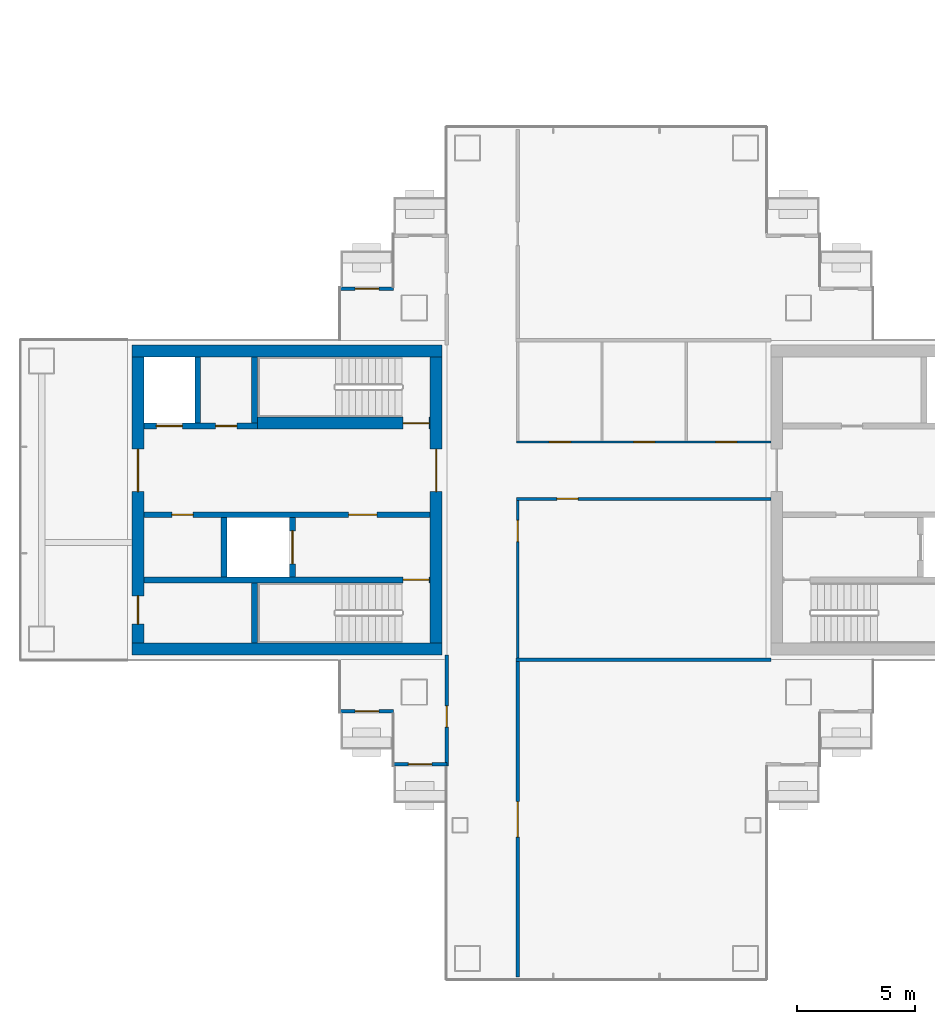
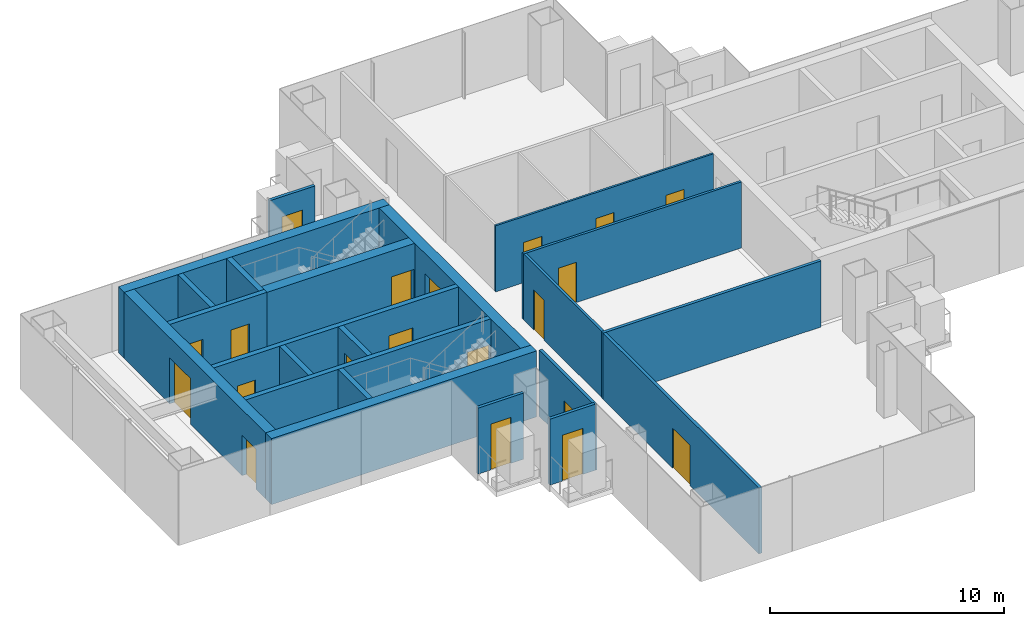
# One storey, part 9 of 17: 22 walls, 20 doors, 20 openings.
"""IFC4 building model written with IfcOpenShell, lengths in metres."""

from ifc_helpers import new_model, si_unit, direction, frame, frame_2d, origin, place, context, subcontext, project, spatial, rectangle, extrude, material, layer, layer_set, type_object, element, fill, save


model = new_model("IFC4")

# Units and contexts
model_context = context("Model", 3, precision=1e-05, world=origin(), true_north=direction((0.0, 1.0)))
body_context = subcontext(model_context, "Body", "Model", "MODEL_VIEW")
ifc_project = project(units=[si_unit("LENGTHUNIT", "METRE"), si_unit("AREAUNIT", "SQUARE_METRE"), si_unit("VOLUMEUNIT", "CUBIC_METRE"), si_unit("PLANEANGLEUNIT", "RADIAN"), si_unit("MASSUNIT", "GRAM", prefix="KILO")], contexts=[model_context])

# Site, building, storey
site_placement = place(None, origin())
site = spatial("IfcSite", under=ifc_project, at=site_placement, CompositionType="ELEMENT")
building_placement = place(site_placement, origin())
building = spatial("IfcBuilding", under=site, at=building_placement, Name="Shamsa Quay Exchange Towers", CompositionType="ELEMENT")
storey_placement = place(building_placement, frame((0.0, 0.0, 174.0)))
storey = spatial("IfcBuildingStorey", under=building, at=storey_placement, Name="L41", CompositionType="ELEMENT", Elevation=174.0)

# Wall, opening, door
ifc_material_1 = material(Name="Aluminium EN AW-6063 T6, black anodised, with black enamelled glass infill", Category="aluminium")
ifc_layer_1 = layer(ifc_material_1, 0.14990234375)
ifc_layer_set_1 = layer_set([ifc_layer_1], Name="BALCONY DOOR BAY WALL 150")
wall_type_1 = type_object("IfcWallType", Name="BALCONY DOOR BAY WALL 150", PredefinedType="SOLIDWALL", material=ifc_layer_set_1)
wall_1_placement = place(storey_placement, frame((-45.0, 8.925048828125, 0.0)))
wall_1 = element("IfcWall", 1, at=wall_1_placement, inside=storey, type_object=wall_type_1, Name="Door bay T1-PKWN L41", PredefinedType="SOLIDWALL", context=body_context, shape_type="SweptSolid", body=[
    extrude(rectangle(XDim=2.25, YDim=0.14990234375, at=frame_2d((1.125, 0.0))), origin(), (0.0, 0.0, 1.0), 3.449951171875),
])
opening_1_placement = place(wall_1_placement, frame((0.625, 0.0, 0.0)))
opening_1 = element("IfcOpeningElement", 2, at=opening_1_placement, cuts=wall_1, Name="Opening XD262", PredefinedType="OPENING", context=body_context, shape_type="SweptSolid", body=[
    extrude(rectangle(XDim=1.0, YDim=2.39990234375, at=frame_2d((0.5, 1.199951171875))), frame((0.0, 0.0849609375, 0.0), z_axis=(0.0, -1.0, 0.0), x_axis=(1.0, 0.0, 0.0)), (0.0, 0.0, 1.0), 0.169921875),
])
ifc_material_2 = material(Name="Aluminium EN AW-6063 T6, black anodised, with laminated glass leaf", Category="aluminium")
door_type_1 = type_object("IfcDoorType", Name="BALCONY DOOR 1000x2400", OperationType="SINGLE_SWING_LEFT", PredefinedType="DOOR", material=ifc_material_2)
door_1_placement = place(opening_1_placement, origin())
door_1 = element("IfcDoor", 3, at=door_1_placement, inside=storey, type_object=door_type_1, Name="Balcony door T1-PKWN L41", OperationType="SINGLE_SWING_RIGHT", OverallHeight=2.39990234375, OverallWidth=1.0, PredefinedType="DOOR", context=body_context, shape_type="SweptSolid", body=[
    extrude(rectangle(XDim=1.0, YDim=2.39990234375, at=frame_2d((0.5, 1.199951171875))), frame((0.0, 0.02490234375, 0.0), z_axis=(0.0, -1.0, 0.0), x_axis=(1.0, 0.0, 0.0)), (0.0, 0.0, 1.0), 0.050048828125),
])
fill(opening_1, door_1)

wall_2_placement = place(storey_placement, frame((-42.75, -8.925048828125, 0.0), z_axis=(0.0, 0.0, 1.0), x_axis=(-1.0, 0.0, 0.0)))
wall_2 = element("IfcWall", 4, at=wall_2_placement, inside=storey, type_object=wall_type_1, Name="Door bay T1-PKWS L41", PredefinedType="SOLIDWALL", context=body_context, shape_type="SweptSolid", body=[
    extrude(rectangle(XDim=2.25, YDim=0.14990234375, at=frame_2d((1.125, 0.0))), origin(), (0.0, 0.0, 1.0), 3.449951171875),
])
opening_2_placement = place(wall_2_placement, frame((0.625, 0.0, 0.0)))
opening_2 = element("IfcOpeningElement", 5, at=opening_2_placement, cuts=wall_2, Name="Opening XD263", PredefinedType="OPENING", context=body_context, shape_type="SweptSolid", body=[
    extrude(rectangle(XDim=1.0, YDim=2.39990234375, at=frame_2d((0.5, 1.199951171875))), frame((0.0, 0.0849609375, 0.0), z_axis=(0.0, -1.0, 0.0), x_axis=(1.0, 0.0, 0.0)), (0.0, 0.0, 1.0), 0.169921875),
])
door_2_placement = place(opening_2_placement, origin())
door_2 = element("IfcDoor", 6, at=door_2_placement, inside=storey, type_object=door_type_1, Name="Balcony door T1-PKWS L41", OperationType="SINGLE_SWING_LEFT", OverallHeight=2.39990234375, OverallWidth=1.0, PredefinedType="DOOR", context=body_context, shape_type="SweptSolid", body=[
    extrude(rectangle(XDim=1.0, YDim=2.39990234375, at=frame_2d((0.5, 1.199951171875))), frame((0.0, 0.02490234375, 0.0), z_axis=(0.0, -1.0, 0.0), x_axis=(1.0, 0.0, 0.0)), (0.0, 0.0, 1.0), 0.050048828125),
])
fill(opening_2, door_2)

wall_3_placement = place(storey_placement, frame((-40.5, -11.175048828125, 0.0), z_axis=(0.0, 0.0, 1.0), x_axis=(-1.0, 0.0, 0.0)))
wall_3 = element("IfcWall", 7, at=wall_3_placement, inside=storey, type_object=wall_type_1, Name="Door bay T1-PKWS L41", PredefinedType="SOLIDWALL", context=body_context, shape_type="SweptSolid", body=[
    extrude(rectangle(XDim=2.25, YDim=0.14990234375, at=frame_2d((1.125, 0.0))), origin(), (0.0, 0.0, 1.0), 3.449951171875),
])
opening_3_placement = place(wall_3_placement, frame((0.625, 0.0, 0.0)))
opening_3 = element("IfcOpeningElement", 8, at=opening_3_placement, cuts=wall_3, Name="Opening XD264", PredefinedType="OPENING", context=body_context, shape_type="SweptSolid", body=[
    extrude(rectangle(XDim=1.0, YDim=2.39990234375, at=frame_2d((0.5, 1.199951171875))), frame((0.0, 0.0849609375, 0.0), z_axis=(0.0, -1.0, 0.0), x_axis=(1.0, 0.0, 0.0)), (0.0, 0.0, 1.0), 0.169921875),
])
door_3_placement = place(opening_3_placement, origin())
door_3 = element("IfcDoor", 9, at=door_3_placement, inside=storey, type_object=door_type_1, Name="Balcony door T1-PKWS L41", OperationType="SINGLE_SWING_RIGHT", OverallHeight=2.39990234375, OverallWidth=1.0, PredefinedType="DOOR", context=body_context, shape_type="SweptSolid", body=[
    extrude(rectangle(XDim=1.0, YDim=2.39990234375, at=frame_2d((0.5, 1.199951171875))), frame((0.0, 0.02490234375, 0.0), z_axis=(0.0, -1.0, 0.0), x_axis=(1.0, 0.0, 0.0)), (0.0, 0.0, 1.0), 0.050048828125),
])
fill(opening_3, door_3)

# Walls
ifc_material_3 = material(Name="Concrete C60/75", Category="concrete")
ifc_layer_2 = layer(ifc_material_3, 0.5)
ifc_layer_set_2 = layer_set([ifc_layer_2], Name="CORE WALL 500 C60/75")
wall_type_2 = type_object("IfcWallType", Name="CORE WALL 500 C60/75", PredefinedType="SHEAR", material=ifc_layer_set_2)
for number, where, z_axis, x_axis, name in (
    (10, (-40.699951171875, -6.300048828125, 0.0), (0.0, 0.0, 1.0), (-1.0, 0.0, 0.0), "Core wall T1B-R19-PS"),
    (11, (-40.699951171875, 6.300048828125, 0.0), (0.0, 0.0, 1.0), (-1.0, 0.0, 0.0), "Core wall T1B-R19-PN"),
):
    element("IfcWall", number, at=place(storey_placement, frame(where, z_axis=z_axis, x_axis=x_axis)), inside=storey, type_object=wall_type_2, Name=name, PredefinedType="SHEAR", context=body_context, shape_type="SweptSolid", body=[
        extrude(rectangle(XDim=13.10009765625, YDim=0.5, at=frame_2d((6.550048828125, 0.0))), origin(), (0.0, 0.0, 1.0), 3.449951171875),
    ])

# Wall, opening, door
wall_4_placement = place(storey_placement, frame((-40.949951171875, -6.050048828125, 0.0), z_axis=(0.0, 0.0, 1.0), x_axis=(0.0, 1.0, 0.0)))
wall_4 = element("IfcWall", 12, at=wall_4_placement, inside=storey, type_object=wall_type_2, Name="Core wall T1B-R19-PF", PredefinedType="SHEAR", context=body_context, shape_type="SweptSolid", body=[
    extrude(rectangle(XDim=12.10009765625, YDim=0.5, at=frame_2d((6.050048828125, 0.0))), origin(), (0.0, 0.0, 1.0), 3.449951171875),
])
opening_4_placement = place(wall_4_placement, frame((6.39990234375, 0.0, 0.0)))
opening_4 = element("IfcOpeningElement", 13, at=opening_4_placement, cuts=wall_4, Name="Opening T1B-R19-LBD01", PredefinedType="OPENING", context=body_context, shape_type="SweptSolid", body=[
    extrude(rectangle(XDim=1.800048828125, YDim=2.39990234375, at=frame_2d((0.89990234375, 1.199951171875))), frame((0.0, 0.260009765625, 0.0), z_axis=(0.0, -1.0, 0.0), x_axis=(1.0, 0.0, 0.0)), (0.0, 0.0, 1.0), 0.52001953125),
])
ifc_material_4 = material(Name="Steel, fire rated", Category="steel")
door_type_2 = type_object("IfcDoorType", Name="LIFT LOBBY DOOR PAIR 1800", OperationType="DOUBLE_DOOR_SINGLE_SWING", PredefinedType="DOOR", material=ifc_material_4)
door_4_placement = place(opening_4_placement, origin())
door_4 = element("IfcDoor", 14, at=door_4_placement, inside=storey, type_object=door_type_2, Name="T1B-R19-LBD01", OperationType="DOUBLE_DOOR_SINGLE_SWING", OverallHeight=2.39990234375, OverallWidth=1.800048828125, PredefinedType="DOOR", context=body_context, shape_type="SweptSolid", body=[
    extrude(rectangle(XDim=1.800048828125, YDim=2.39990234375, at=frame_2d((0.89990234375, 1.199951171875))), frame((0.0, 0.02490234375, 0.0), z_axis=(0.0, -1.0, 0.0), x_axis=(1.0, 0.0, 0.0)), (0.0, 0.0, 1.0), 0.050048828125),
])
fill(opening_4, door_4)

# Wall, openings, doors
wall_5_placement = place(storey_placement, frame((-53.550048828125, -6.050048828125, 0.0), z_axis=(0.0, 0.0, 1.0), x_axis=(0.0, 1.0, 0.0)))
wall_5 = element("IfcWall", 15, at=wall_5_placement, inside=storey, type_object=wall_type_2, Name="Core wall T1B-R19-PB", PredefinedType="SHEAR", context=body_context, shape_type="SweptSolid", body=[
    extrude(rectangle(XDim=12.10009765625, YDim=0.5, at=frame_2d((6.050048828125, 0.0))), origin(), (0.0, 0.0, 1.0), 3.449951171875),
])
opening_5_placement = place(wall_5_placement, frame((0.800048828125, 0.0, 0.0)))
opening_5 = element("IfcOpeningElement", 16, at=opening_5_placement, cuts=wall_5, Name="Opening T1B-R19-RD02", PredefinedType="OPENING", context=body_context, shape_type="SweptSolid", body=[
    extrude(rectangle(XDim=1.199951171875, YDim=2.10009765625, at=frame_2d((0.60009765625, 1.050048828125))), frame((0.0, 0.260009765625, 0.0), z_axis=(0.0, -1.0, 0.0), x_axis=(1.0, 0.0, 0.0)), (0.0, 0.0, 1.0), 0.52001953125),
])
opening_6_placement = place(wall_5_placement, frame((6.39990234375, 0.0, 0.0)))
opening_6 = element("IfcOpeningElement", 17, at=opening_6_placement, cuts=wall_5, Name="Opening T1B-R19-LBD03", PredefinedType="OPENING", context=body_context, shape_type="SweptSolid", body=[
    extrude(rectangle(XDim=1.800048828125, YDim=2.39990234375, at=frame_2d((0.89990234375, 1.199951171875))), frame((0.0, 0.260009765625, 0.0), z_axis=(0.0, -1.0, 0.0), x_axis=(1.0, 0.0, 0.0)), (0.0, 0.0, 1.0), 0.52001953125),
])
door_5_placement = place(opening_6_placement, origin())
door_5 = element("IfcDoor", 18, at=door_5_placement, inside=storey, type_object=door_type_2, Name="T1B-R19-LBD03", OperationType="DOUBLE_DOOR_SINGLE_SWING", OverallHeight=2.39990234375, OverallWidth=1.800048828125, PredefinedType="DOOR", context=body_context, shape_type="SweptSolid", body=[
    extrude(rectangle(XDim=1.800048828125, YDim=2.39990234375, at=frame_2d((0.89990234375, 1.199951171875))), frame((0.0, 0.02490234375, 0.0), z_axis=(0.0, -1.0, 0.0), x_axis=(1.0, 0.0, 0.0)), (0.0, 0.0, 1.0), 0.050048828125),
])
fill(opening_6, door_5)
door_type_3 = type_object("IfcDoorType", Name="RISER ACCESS DOOR 1200", OperationType="SINGLE_SWING_LEFT", PredefinedType="DOOR", material=ifc_material_4)
door_6_placement = place(opening_5_placement, origin())
door_6 = element("IfcDoor", 19, at=door_6_placement, inside=storey, type_object=door_type_3, Name="T1B-R19-RD02", OperationType="SINGLE_SWING_LEFT", OverallHeight=2.10009765625, OverallWidth=1.199951171875, PredefinedType="DOOR", context=body_context, shape_type="SweptSolid", body=[
    extrude(rectangle(XDim=1.199951171875, YDim=2.10009765625, at=frame_2d((0.60009765625, 1.050048828125))), frame((0.0, 0.02490234375, 0.0), z_axis=(0.0, -1.0, 0.0), x_axis=(1.0, 0.0, 0.0)), (0.0, 0.0, 1.0), 0.050048828125),
])
fill(opening_5, door_6)

# Wall, opening, door
ifc_material_5 = material(Name="Laminated fire-resisting glass in a metal frame", Category="glass")
ifc_layer_3 = layer(ifc_material_5, 0.125)
ifc_layer_set_3 = layer_set([ifc_layer_3], Name="Glazed partition 125 mm EI 60")
wall_type_3 = type_object("IfcWallType", Name="Glazed partition 125 mm EI 60", PredefinedType="PARTITIONING", material=ifc_layer_set_3)
wall_6_placement = place(storey_placement, frame((-37.5625, 0.0498046875, 0.0)))
wall_6 = element("IfcWall", 20, at=wall_6_placement, inside=storey, type_object=wall_type_3, Name="Partition T1-R19-W05", PredefinedType="PARTITIONING", context=body_context, shape_type="SweptSolid", body=[
    extrude(rectangle(XDim=10.762451171875, YDim=0.125, at=frame_2d((5.38134765625, 0.0))), origin(), (0.0, 0.0, 1.0), 3.449951171875),
])
opening_7_placement = place(wall_6_placement, frame((1.71240234375, 0.0, 0.0)))
opening_7 = element("IfcOpeningElement", 21, at=opening_7_placement, cuts=wall_6, Name="Opening T1-R19-D05", PredefinedType="OPENING", context=body_context, shape_type="SweptSolid", body=[
    extrude(rectangle(XDim=0.89990234375, YDim=2.10009765625, at=frame_2d((0.449951171875, 1.050048828125))), frame((0.0, 0.072509765625, 0.0), z_axis=(0.0, -1.0, 0.0), x_axis=(1.0, 0.0, 0.0)), (0.0, 0.0, 1.0), 0.14501953125),
])
ifc_material_6 = material(Name="Timber door leaf in a metal frame", Category="wood")
door_type_4 = type_object("IfcDoorType", Name="Door 900x2100 FD30S", OperationType="NOTDEFINED", PredefinedType="DOOR", material=ifc_material_6)
door_7_placement = place(opening_7_placement, origin())
door_7 = element("IfcDoor", 22, at=door_7_placement, inside=storey, type_object=door_type_4, Name="Door T1-R19-D05", OperationType="SINGLE_SWING_LEFT", OverallHeight=2.10009765625, OverallWidth=0.89990234375, PredefinedType="DOOR", context=body_context, shape_type="SweptSolid", body=[
    extrude(rectangle(XDim=0.89990234375, YDim=2.10009765625, at=frame_2d((0.449951171875, 1.050048828125))), frame((0.0, 0.02490234375, 0.0), z_axis=(0.0, -1.0, 0.0), x_axis=(1.0, 0.0, 0.0)), (0.0, 0.0, 1.0), 0.050048828125),
])
fill(opening_7, door_7)

wall_7_placement = place(storey_placement, frame((-37.5, -6.675048828125, 0.0), z_axis=(0.0, 0.0, 1.0), x_axis=(0.0, 1.0, 0.0)))
wall_7 = element("IfcWall", 23, at=wall_7_placement, inside=storey, type_object=wall_type_3, Name="Partition T1-R19-W06", PredefinedType="PARTITIONING", context=body_context, shape_type="SweptSolid", body=[
    extrude(rectangle(XDim=6.662353515625, YDim=0.125, at=frame_2d((3.3310546875, 0.0))), origin(), (0.0, 0.0, 1.0), 3.449951171875),
])
opening_8_placement = place(wall_7_placement, frame((4.914794921875, 0.0, 0.0)))
opening_8 = element("IfcOpeningElement", 24, at=opening_8_placement, cuts=wall_7, Name="Opening T1-R19-D03", PredefinedType="OPENING", context=body_context, shape_type="SweptSolid", body=[
    extrude(rectangle(XDim=0.89990234375, YDim=2.10009765625, at=frame_2d((0.449951171875, 1.050048828125))), frame((0.0, 0.072509765625, 0.0), z_axis=(0.0, -1.0, 0.0), x_axis=(1.0, 0.0, 0.0)), (0.0, 0.0, 1.0), 0.14501953125),
])
door_8_placement = place(opening_8_placement, origin())
door_8 = element("IfcDoor", 25, at=door_8_placement, inside=storey, type_object=door_type_4, Name="Door T1-R19-D03", OperationType="SINGLE_SWING_RIGHT", OverallHeight=2.10009765625, OverallWidth=0.89990234375, PredefinedType="DOOR", context=body_context, shape_type="SweptSolid", body=[
    extrude(rectangle(XDim=0.89990234375, YDim=2.10009765625, at=frame_2d((0.449951171875, 1.050048828125))), frame((0.0, 0.02490234375, 0.0), z_axis=(0.0, -1.0, 0.0), x_axis=(1.0, 0.0, 0.0)), (0.0, 0.0, 1.0), 0.050048828125),
])
fill(opening_8, door_8)

# Wall, openings, doors
ifc_material_7 = material(Name="Gypsum board partition on metal studs")
ifc_layer_4 = layer(ifc_material_7, 0.10009765625)
ifc_layer_set_4 = layer_set([ifc_layer_4], Name="Partition 100 mm NOT RATED")
wall_type_4 = type_object("IfcWallType", Name="Partition 100 mm NOT RATED", PredefinedType="PARTITIONING", material=ifc_layer_set_4)
wall_8_placement = place(storey_placement, frame((-37.550048828125, 2.4501953125, 0.0)))
wall_8 = element("IfcWall", 26, at=wall_8_placement, inside=storey, type_object=wall_type_4, Name="Partition T1-R19-W04", PredefinedType="PARTITIONING", context=body_context, shape_type="SweptSolid", body=[
    extrude(rectangle(XDim=10.75, YDim=0.10009765625, at=frame_2d((5.375, 0.0))), origin(), (0.0, 0.0, 1.0), 3.449951171875),
])
opening_9_placement = place(wall_8_placement, frame((1.38134765625, 0.0, 0.0)))
opening_9 = element("IfcOpeningElement", 27, at=opening_9_placement, cuts=wall_8, Name="Opening T1-R19-D06", PredefinedType="OPENING", context=body_context, shape_type="SweptSolid", body=[
    extrude(rectangle(XDim=0.89990234375, YDim=2.10009765625, at=frame_2d((0.449951171875, 1.050048828125))), frame((0.0, 0.06005859375, 0.0), z_axis=(0.0, -1.0, 0.0), x_axis=(1.0, 0.0, 0.0)), (0.0, 0.0, 1.0), 0.1201171875),
])
opening_10_placement = place(wall_8_placement, frame((4.943603515625, 0.0, 0.0)))
opening_10 = element("IfcOpeningElement", 28, at=opening_10_placement, cuts=wall_8, Name="Opening T1-R19-D07", PredefinedType="OPENING", context=body_context, shape_type="SweptSolid", body=[
    extrude(rectangle(XDim=0.89990234375, YDim=2.10009765625, at=frame_2d((0.449951171875, 1.050048828125))), frame((0.0, 0.06005859375, 0.0), z_axis=(0.0, -1.0, 0.0), x_axis=(1.0, 0.0, 0.0)), (0.0, 0.0, 1.0), 0.1201171875),
])
opening_11_placement = place(wall_8_placement, frame((8.41259765625, 0.0, 0.0)))
opening_11 = element("IfcOpeningElement", 29, at=opening_11_placement, cuts=wall_8, Name="Opening T1-R19-D08", PredefinedType="OPENING", context=body_context, shape_type="SweptSolid", body=[
    extrude(rectangle(XDim=0.89990234375, YDim=2.10009765625, at=frame_2d((0.449951171875, 1.050048828125))), frame((0.0, 0.06005859375, 0.0), z_axis=(0.0, -1.0, 0.0), x_axis=(1.0, 0.0, 0.0)), (0.0, 0.0, 1.0), 0.1201171875),
])
door_type_5 = type_object("IfcDoorType", Name="Door 900x2100 NOT RATED", OperationType="NOTDEFINED", PredefinedType="DOOR", material=ifc_material_6)
door_9_placement = place(opening_9_placement, origin())
door_9 = element("IfcDoor", 30, at=door_9_placement, inside=storey, type_object=door_type_5, Name="Door T1-R19-D06", OperationType="SINGLE_SWING_LEFT", OverallHeight=2.10009765625, OverallWidth=0.89990234375, PredefinedType="DOOR", context=body_context, shape_type="SweptSolid", body=[
    extrude(rectangle(XDim=0.89990234375, YDim=2.10009765625, at=frame_2d((0.449951171875, 1.050048828125))), frame((0.0, 0.02490234375, 0.0), z_axis=(0.0, -1.0, 0.0), x_axis=(1.0, 0.0, 0.0)), (0.0, 0.0, 1.0), 0.050048828125),
])
fill(opening_9, door_9)
door_10_placement = place(opening_10_placement, origin())
door_10 = element("IfcDoor", 31, at=door_10_placement, inside=storey, type_object=door_type_5, Name="Door T1-R19-D07", OperationType="SINGLE_SWING_LEFT", OverallHeight=2.10009765625, OverallWidth=0.89990234375, PredefinedType="DOOR", context=body_context, shape_type="SweptSolid", body=[
    extrude(rectangle(XDim=0.89990234375, YDim=2.10009765625, at=frame_2d((0.449951171875, 1.050048828125))), frame((0.0, 0.02490234375, 0.0), z_axis=(0.0, -1.0, 0.0), x_axis=(1.0, 0.0, 0.0)), (0.0, 0.0, 1.0), 0.050048828125),
])
fill(opening_10, door_10)
door_11_placement = place(opening_11_placement, origin())
door_11 = element("IfcDoor", 32, at=door_11_placement, inside=storey, type_object=door_type_5, Name="Door T1-R19-D08", OperationType="SINGLE_SWING_RIGHT", OverallHeight=2.10009765625, OverallWidth=0.89990234375, PredefinedType="DOOR", context=body_context, shape_type="SweptSolid", body=[
    extrude(rectangle(XDim=0.89990234375, YDim=2.10009765625, at=frame_2d((0.449951171875, 1.050048828125))), frame((0.0, 0.02490234375, 0.0), z_axis=(0.0, -1.0, 0.0), x_axis=(1.0, 0.0, 0.0)), (0.0, 0.0, 1.0), 0.050048828125),
])
fill(opening_11, door_11)

# Wall, opening, door
ifc_layer_5 = layer(ifc_material_7, 0.14990234375)
ifc_layer_set_5 = layer_set([ifc_layer_5], Name="Partition 150 mm EI 60")
wall_type_5 = type_object("IfcWallType", Name="Partition 150 mm EI 60", PredefinedType="PARTITIONING", material=ifc_layer_set_5)
wall_9_placement = place(storey_placement, frame((-37.5, -6.824951171875, 0.0), z_axis=(0.0, 0.0, 1.0), x_axis=(0.0, -1.0, 0.0)))
wall_9 = element("IfcWall", 33, at=wall_9_placement, inside=storey, type_object=wall_type_5, Name="Partition T1-R19-W02", PredefinedType="PARTITIONING", context=body_context, shape_type="SweptSolid", body=[
    extrude(rectangle(XDim=13.330078125, YDim=0.14990234375, at=frame_2d((6.6650390625, 0.0))), origin(), (0.0, 0.0, 1.0), 3.449951171875),
])
opening_12_placement = place(wall_9_placement, frame((5.925048828125, 0.0, 0.0)))
opening_12 = element("IfcOpeningElement", 34, at=opening_12_placement, cuts=wall_9, Name="Opening T1-R19-D04", PredefinedType="OPENING", context=body_context, shape_type="SweptSolid", body=[
    extrude(rectangle(XDim=1.5, YDim=2.10009765625, at=frame_2d((0.75, 1.050048828125))), frame((0.0, 0.0849609375, 0.0), z_axis=(0.0, -1.0, 0.0), x_axis=(1.0, 0.0, 0.0)), (0.0, 0.0, 1.0), 0.169921875),
])
door_type_6 = type_object("IfcDoorType", Name="Door 1500x2100 FD30S pair", OperationType="NOTDEFINED", PredefinedType="DOOR", material=ifc_material_6)
door_12_placement = place(opening_12_placement, origin())
door_12 = element("IfcDoor", 35, at=door_12_placement, inside=storey, type_object=door_type_6, Name="Door T1-R19-D04", OperationType="DOUBLE_DOOR_SINGLE_SWING", OverallHeight=2.10009765625, OverallWidth=1.5, PredefinedType="DOOR", context=body_context, shape_type="SweptSolid", body=[
    extrude(rectangle(XDim=1.5, YDim=2.10009765625, at=frame_2d((0.75, 1.050048828125))), frame((0.0, 0.02490234375, 0.0), z_axis=(0.0, -1.0, 0.0), x_axis=(1.0, 0.0, 0.0)), (0.0, 0.0, 1.0), 0.050048828125),
])
fill(opening_12, door_12)

wall_10_placement = place(storey_placement, frame((-40.5, -11.25, 0.0), z_axis=(0.0, 0.0, 1.0), x_axis=(0.0, 1.0, 0.0)))
wall_10 = element("IfcWall", 36, at=wall_10_placement, inside=storey, type_object=wall_type_5, Name="Partition T1-R19-W07", PredefinedType="PARTITIONING", context=body_context, shape_type="SweptSolid", body=[
    extrude(rectangle(XDim=4.699951171875, YDim=0.14990234375, at=frame_2d((2.35009765625, 0.0))), origin(), (0.0, 0.0, 1.0), 3.449951171875),
])
opening_13_placement = place(wall_10_placement, frame((1.64990234375, 0.0, 0.0)))
opening_13 = element("IfcOpeningElement", 37, at=opening_13_placement, cuts=wall_10, Name="Opening T1-R19-D01", PredefinedType="OPENING", context=body_context, shape_type="SweptSolid", body=[
    extrude(rectangle(XDim=0.89990234375, YDim=2.10009765625, at=frame_2d((0.449951171875, 1.050048828125))), frame((0.0, 0.0849609375, 0.0), z_axis=(0.0, -1.0, 0.0), x_axis=(1.0, 0.0, 0.0)), (0.0, 0.0, 1.0), 0.169921875),
])
door_13_placement = place(opening_13_placement, origin())
door_13 = element("IfcDoor", 38, at=door_13_placement, inside=storey, type_object=door_type_4, Name="Door T1-R19-D01", OperationType="SINGLE_SWING_LEFT", OverallHeight=2.10009765625, OverallWidth=0.89990234375, PredefinedType="DOOR", context=body_context, shape_type="SweptSolid", body=[
    extrude(rectangle(XDim=0.89990234375, YDim=2.10009765625, at=frame_2d((0.449951171875, 1.050048828125))), frame((0.0, 0.02490234375, 0.0), z_axis=(0.0, -1.0, 0.0), x_axis=(1.0, 0.0, 0.0)), (0.0, 0.0, 1.0), 0.050048828125),
])
fill(opening_13, door_13)

# Wall
wall_11_placement = place(storey_placement, frame((-26.800048828125, -6.75, 0.0), z_axis=(0.0, 0.0, 1.0), x_axis=(-1.0, 0.0, 0.0)))
element("IfcWall", 39, at=wall_11_placement, inside=storey, type_object=wall_type_5, Name="Partition T1-R19-W12", PredefinedType="PARTITIONING", context=body_context, shape_type="SweptSolid", body=[
    extrude(rectangle(XDim=10.77490234375, YDim=0.14990234375, at=frame_2d((5.387451171875, 0.0))), origin(), (0.0, 0.0, 1.0), 3.449951171875),
])

# Wall, opening, door
ifc_material_8 = material(Name="Concrete C50/60", Category="concrete")
ifc_layer_6 = layer(ifc_material_8, 0.25)
ifc_layer_set_6 = layer_set([ifc_layer_6], Name="SHAFT WALL 250 C50/60")
wall_type_6 = type_object("IfcWallType", Name="SHAFT WALL 250 C50/60", PredefinedType="SHEAR", material=ifc_layer_set_6)
wall_12_placement = place(storey_placement, frame((-41.199951171875, -3.375, 0.0), z_axis=(0.0, 0.0, 1.0), x_axis=(-1.0, 0.0, 0.0)))
wall_12 = element("IfcWall", 40, at=wall_12_placement, inside=storey, type_object=wall_type_6, Name="Shaft wall T1B-R19-STL", PredefinedType="SHEAR", context=body_context, shape_type="SweptSolid", body=[
    extrude(rectangle(XDim=12.10009765625, YDim=0.25, at=frame_2d((6.050048828125, 0.0))), origin(), (0.0, 0.0, 1.0), 3.449951171875),
])
opening_14_placement = place(wall_12_placement, frame((0.050048828125, 0.0, 0.0)))
opening_14 = element("IfcOpeningElement", 41, at=opening_14_placement, cuts=wall_12, Name="Opening T1B-R19-SD04", PredefinedType="OPENING", context=body_context, shape_type="SweptSolid", body=[
    extrude(rectangle(XDim=1.10009765625, YDim=2.10009765625, at=frame_2d((0.550048828125, 1.050048828125))), frame((0.0, 0.135009765625, 0.0), z_axis=(0.0, -1.0, 0.0), x_axis=(1.0, 0.0, 0.0)), (0.0, 0.0, 1.0), 0.27001953125),
])
door_type_7 = type_object("IfcDoorType", Name="STAIR DOOR 1100", OperationType="SINGLE_SWING_LEFT", PredefinedType="DOOR", material=ifc_material_4)
door_14_placement = place(opening_14_placement, origin())
door_14 = element("IfcDoor", 42, at=door_14_placement, inside=storey, type_object=door_type_7, Name="T1B-R19-SD04", OperationType="SINGLE_SWING_LEFT", OverallHeight=2.10009765625, OverallWidth=1.10009765625, PredefinedType="DOOR", context=body_context, shape_type="SweptSolid", body=[
    extrude(rectangle(XDim=1.10009765625, YDim=2.10009765625, at=frame_2d((0.550048828125, 1.050048828125))), frame((0.0, 0.02490234375, 0.0), z_axis=(0.0, -1.0, 0.0), x_axis=(1.0, 0.0, 0.0)), (0.0, 0.0, 1.0), 0.050048828125),
])
fill(opening_14, door_14)

# Wall
wall_13_placement = place(storey_placement, frame((-48.625, -6.050048828125, 0.0), z_axis=(0.0, 0.0, 1.0), x_axis=(0.0, 1.0, 0.0)))
element("IfcWall", 43, at=wall_13_placement, inside=storey, type_object=wall_type_6, Name="Shaft wall T1B-R19-STF", PredefinedType="SHEAR", context=body_context, shape_type="SweptSolid", body=[
    extrude(rectangle(XDim=2.550048828125, YDim=0.25, at=frame_2d((1.27490234375, 0.0))), origin(), (0.0, 0.0, 1.0), 3.449951171875),
])

# Wall, openings, doors
wall_14_placement = place(storey_placement, frame((-41.199951171875, -0.625, 0.0), z_axis=(0.0, 0.0, 1.0), x_axis=(-1.0, 0.0, 0.0)))
wall_14 = element("IfcWall", 44, at=wall_14_placement, inside=storey, type_object=wall_type_6, Name="Shaft wall T1B-R19-B", PredefinedType="SHEAR", context=body_context, shape_type="SweptSolid", body=[
    extrude(rectangle(XDim=12.10009765625, YDim=0.25, at=frame_2d((6.050048828125, 0.0))), origin(), (0.0, 0.0, 1.0), 3.449951171875),
])
opening_15_placement = place(wall_14_placement, frame((2.25, 0.0, 0.0)))
opening_15 = element("IfcOpeningElement", 45, at=opening_15_placement, cuts=wall_14, Name="Opening T1B-R19-FD05", PredefinedType="OPENING", context=body_context, shape_type="SweptSolid", body=[
    extrude(rectangle(XDim=1.199951171875, YDim=2.10009765625, at=frame_2d((0.60009765625, 1.050048828125))), frame((0.0, 0.135009765625, 0.0), z_axis=(0.0, -1.0, 0.0), x_axis=(1.0, 0.0, 0.0)), (0.0, 0.0, 1.0), 0.27001953125),
])
opening_16_placement = place(wall_14_placement, frame((10.02490234375, 0.0, 0.0)))
opening_16 = element("IfcOpeningElement", 46, at=opening_16_placement, cuts=wall_14, Name="Opening T1B-R19-SV06", PredefinedType="OPENING", context=body_context, shape_type="SweptSolid", body=[
    extrude(rectangle(XDim=0.89990234375, YDim=2.10009765625, at=frame_2d((0.449951171875, 1.050048828125))), frame((0.0, 0.135009765625, 0.0), z_axis=(0.0, -1.0, 0.0), x_axis=(1.0, 0.0, 0.0)), (0.0, 0.0, 1.0), 0.27001953125),
])
door_type_8 = type_object("IfcDoorType", Name="FIRE SERVICE LOBBY DOOR 1200", OperationType="SINGLE_SWING_LEFT", PredefinedType="DOOR", material=ifc_material_4)
door_15_placement = place(opening_15_placement, origin())
door_15 = element("IfcDoor", 47, at=door_15_placement, inside=storey, type_object=door_type_8, Name="T1B-R19-FD05", OperationType="SINGLE_SWING_LEFT", OverallHeight=2.10009765625, OverallWidth=1.199951171875, PredefinedType="DOOR", context=body_context, shape_type="SweptSolid", body=[
    extrude(rectangle(XDim=1.199951171875, YDim=2.10009765625, at=frame_2d((0.60009765625, 1.050048828125))), frame((0.0, 0.02490234375, 0.0), z_axis=(0.0, -1.0, 0.0), x_axis=(1.0, 0.0, 0.0)), (0.0, 0.0, 1.0), 0.050048828125),
])
fill(opening_15, door_15)
door_type_9 = type_object("IfcDoorType", Name="SERVICE ROOM DOOR 900", OperationType="SINGLE_SWING_LEFT", PredefinedType="DOOR", material=ifc_material_4)
door_16_placement = place(opening_16_placement, origin())
door_16 = element("IfcDoor", 48, at=door_16_placement, inside=storey, type_object=door_type_9, Name="T1B-R19-SV06", OperationType="SINGLE_SWING_RIGHT", OverallHeight=2.10009765625, OverallWidth=0.89990234375, PredefinedType="DOOR", context=body_context, shape_type="SweptSolid", body=[
    extrude(rectangle(XDim=0.89990234375, YDim=2.10009765625, at=frame_2d((0.449951171875, 1.050048828125))), frame((0.0, 0.02490234375, 0.0), z_axis=(0.0, -1.0, 0.0), x_axis=(1.0, 0.0, 0.0)), (0.0, 0.0, 1.0), 0.050048828125),
])
fill(opening_16, door_16)

# Wall, opening, door
wall_15_placement = place(storey_placement, frame((-47.02490234375, -3.25, 0.0), z_axis=(0.0, 0.0, 1.0), x_axis=(0.0, 1.0, 0.0)))
wall_15 = element("IfcWall", 49, at=wall_15_placement, inside=storey, type_object=wall_type_6, Name="Shaft wall T1B-R19-FFF", PredefinedType="SHEAR", context=body_context, shape_type="SweptSolid", body=[
    extrude(rectangle(XDim=2.5, YDim=0.25, at=frame_2d((1.25, 0.0))), origin(), (0.0, 0.0, 1.0), 3.449951171875),
])
opening_17_placement = place(wall_15_placement, frame((0.550048828125, 0.0, 0.0)))
opening_17 = element("IfcOpeningElement", 50, at=opening_17_placement, cuts=wall_15, Name="Opening T1B-R19-LDG07", PredefinedType="OPENING", context=body_context, shape_type="SweptSolid", body=[
    extrude(rectangle(XDim=1.39990234375, YDim=2.39990234375, at=frame_2d((0.699951171875, 1.199951171875))), frame((0.0, 0.135009765625, 0.0), z_axis=(0.0, -1.0, 0.0), x_axis=(1.0, 0.0, 0.0)), (0.0, 0.0, 1.0), 0.27001953125),
])
door_type_10 = type_object("IfcDoorType", Name="GOODS LIFT LANDING DOOR 1400", OperationType="SLIDING_TO_LEFT", PredefinedType="DOOR", material=ifc_material_4)
door_17_placement = place(opening_17_placement, origin())
door_17 = element("IfcDoor", 51, at=door_17_placement, inside=storey, type_object=door_type_10, Name="T1B-R19-LDG07", OperationType="SLIDING_TO_LEFT", OverallHeight=2.39990234375, OverallWidth=1.39990234375, PredefinedType="DOOR", context=body_context, shape_type="SweptSolid", body=[
    extrude(rectangle(XDim=1.39990234375, YDim=2.39990234375, at=frame_2d((0.699951171875, 1.199951171875))), frame((0.0, 0.02490234375, 0.0), z_axis=(0.0, -1.0, 0.0), x_axis=(1.0, 0.0, 0.0)), (0.0, 0.0, 1.0), 0.050048828125),
])
fill(opening_17, door_17)

# Wall
wall_16_placement = place(storey_placement, frame((-49.925048828125, -3.25, 0.0), z_axis=(0.0, 0.0, 1.0), x_axis=(0.0, 1.0, 0.0)))
element("IfcWall", 52, at=wall_16_placement, inside=storey, type_object=wall_type_6, Name="Shaft wall T1B-R19-FFB", PredefinedType="SHEAR", context=body_context, shape_type="SweptSolid", body=[
    extrude(rectangle(XDim=2.5, YDim=0.25, at=frame_2d((1.25, 0.0))), origin(), (0.0, 0.0, 1.0), 3.449951171875),
])

# Wall, openings, doors
wall_17_placement = place(storey_placement, frame((-53.300048828125, 3.125, 0.0)))
wall_17 = element("IfcWall", 53, at=wall_17_placement, inside=storey, type_object=wall_type_6, Name="Shaft wall T1B-R19-N2", PredefinedType="SHEAR", context=body_context, shape_type="SweptSolid", body=[
    extrude(rectangle(XDim=4.800048828125, YDim=0.25, at=frame_2d((2.39990234375, 0.0))), origin(), (0.0, 0.0, 1.0), 3.449951171875),
])
opening_18_placement = place(wall_17_placement, frame((0.52490234375, 0.0, 0.0)))
opening_18 = element("IfcOpeningElement", 54, at=opening_18_placement, cuts=wall_17, Name="Opening T1B-R19-LD09", PredefinedType="OPENING", context=body_context, shape_type="SweptSolid", body=[
    extrude(rectangle(XDim=1.10009765625, YDim=2.10009765625, at=frame_2d((0.550048828125, 1.050048828125))), frame((0.0, 0.135009765625, 0.0), z_axis=(0.0, -1.0, 0.0), x_axis=(1.0, 0.0, 0.0)), (0.0, 0.0, 1.0), 0.27001953125),
])
opening_19_placement = place(wall_17_placement, frame((3.02490234375, 0.0, 0.0)))
opening_19 = element("IfcOpeningElement", 55, at=opening_19_placement, cuts=wall_17, Name="Opening T1B-R19-SV10", PredefinedType="OPENING", context=body_context, shape_type="SweptSolid", body=[
    extrude(rectangle(XDim=0.89990234375, YDim=2.10009765625, at=frame_2d((0.449951171875, 1.050048828125))), frame((0.0, 0.135009765625, 0.0), z_axis=(0.0, -1.0, 0.0), x_axis=(1.0, 0.0, 0.0)), (0.0, 0.0, 1.0), 0.27001953125),
])
door_type_11 = type_object("IfcDoorType", Name="LANDING DOOR 1100", OperationType="SLIDING_TO_LEFT", PredefinedType="DOOR", material=ifc_material_4)
door_18_placement = place(opening_18_placement, origin())
door_18 = element("IfcDoor", 56, at=door_18_placement, inside=storey, type_object=door_type_11, Name="T1B-R19-LD09", OperationType="SLIDING_TO_LEFT", OverallHeight=2.10009765625, OverallWidth=1.10009765625, PredefinedType="DOOR", context=body_context, shape_type="SweptSolid", body=[
    extrude(rectangle(XDim=1.10009765625, YDim=2.10009765625, at=frame_2d((0.550048828125, 1.050048828125))), frame((0.0, 0.02490234375, 0.0), z_axis=(0.0, -1.0, 0.0), x_axis=(1.0, 0.0, 0.0)), (0.0, 0.0, 1.0), 0.050048828125),
])
fill(opening_18, door_18)
door_19_placement = place(opening_19_placement, origin())
door_19 = element("IfcDoor", 57, at=door_19_placement, inside=storey, type_object=door_type_9, Name="T1B-R19-SV10", OperationType="SINGLE_SWING_RIGHT", OverallHeight=2.10009765625, OverallWidth=0.89990234375, PredefinedType="DOOR", context=body_context, shape_type="SweptSolid", body=[
    extrude(rectangle(XDim=0.89990234375, YDim=2.10009765625, at=frame_2d((0.449951171875, 1.050048828125))), frame((0.0, 0.02490234375, 0.0), z_axis=(0.0, -1.0, 0.0), x_axis=(1.0, 0.0, 0.0)), (0.0, 0.0, 1.0), 0.050048828125),
])
fill(opening_19, door_19)

# Walls
for number, where, z_axis, x_axis, name in (
    (58, (-48.625, 3.25, 0.0), (0.0, 0.0, 1.0), (0.0, 1.0, 0.0), "Shaft wall T1B-R19-STF2"),
    (59, (-51.02490234375, 3.25, 0.0), (0.0, 0.0, 1.0), (0.0, 1.0, 0.0), "Shaft wall T1B-R19-D0"),
):
    element("IfcWall", number, at=place(storey_placement, frame(where, z_axis=z_axis, x_axis=x_axis)), inside=storey, type_object=wall_type_6, Name=name, PredefinedType="SHEAR", context=body_context, shape_type="SweptSolid", body=[
        extrude(rectangle(XDim=2.800048828125, YDim=0.25, at=frame_2d((1.39990234375, 0.0))), origin(), (0.0, 0.0, 1.0), 3.449951171875),
    ])

# Wall, opening, door
ifc_layer_7 = layer(ifc_material_8, 0.5)
ifc_layer_set_7 = layer_set([ifc_layer_7], Name="SHAFT WALL 500 C50/60")
wall_type_7 = type_object("IfcWallType", Name="SHAFT WALL 500 C50/60", PredefinedType="SHEAR", material=ifc_layer_set_7)
wall_18_placement = place(storey_placement, frame((-48.5, 3.25, 0.0)))
wall_18 = element("IfcWall", 60, at=wall_18_placement, inside=storey, type_object=wall_type_7, Name="Shaft wall T1B-R19-N", PredefinedType="SHEAR", context=body_context, shape_type="SweptSolid", body=[
    extrude(rectangle(XDim=7.300048828125, YDim=0.5, at=frame_2d((3.64990234375, 0.0))), origin(), (0.0, 0.0, 1.0), 3.449951171875),
])
opening_20_placement = place(wall_18_placement, frame((6.14990234375, 0.0, 0.0)))
opening_20 = element("IfcOpeningElement", 61, at=opening_20_placement, cuts=wall_18, Name="Opening T1B-R19-SD08", PredefinedType="OPENING", context=body_context, shape_type="SweptSolid", body=[
    extrude(rectangle(XDim=1.10009765625, YDim=2.10009765625, at=frame_2d((0.550048828125, 1.050048828125))), frame((0.0, 0.260009765625, 0.0), z_axis=(0.0, -1.0, 0.0), x_axis=(1.0, 0.0, 0.0)), (0.0, 0.0, 1.0), 0.52001953125),
])
door_20_placement = place(opening_20_placement, origin())
door_20 = element("IfcDoor", 62, at=door_20_placement, inside=storey, type_object=door_type_7, Name="T1B-R19-SD08", OperationType="SINGLE_SWING_RIGHT", OverallHeight=2.10009765625, OverallWidth=1.10009765625, PredefinedType="DOOR", context=body_context, shape_type="SweptSolid", body=[
    extrude(rectangle(XDim=1.10009765625, YDim=2.10009765625, at=frame_2d((0.550048828125, 1.050048828125))), frame((0.0, 0.02490234375, 0.0), z_axis=(0.0, -1.0, 0.0), x_axis=(1.0, 0.0, 0.0)), (0.0, 0.0, 1.0), 0.050048828125),
])
fill(opening_20, door_20)

save(model, "model.ifc")
